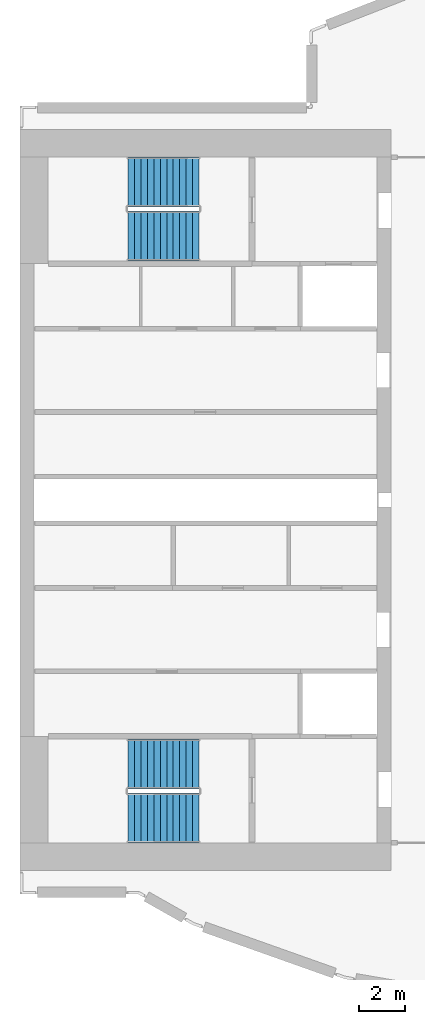
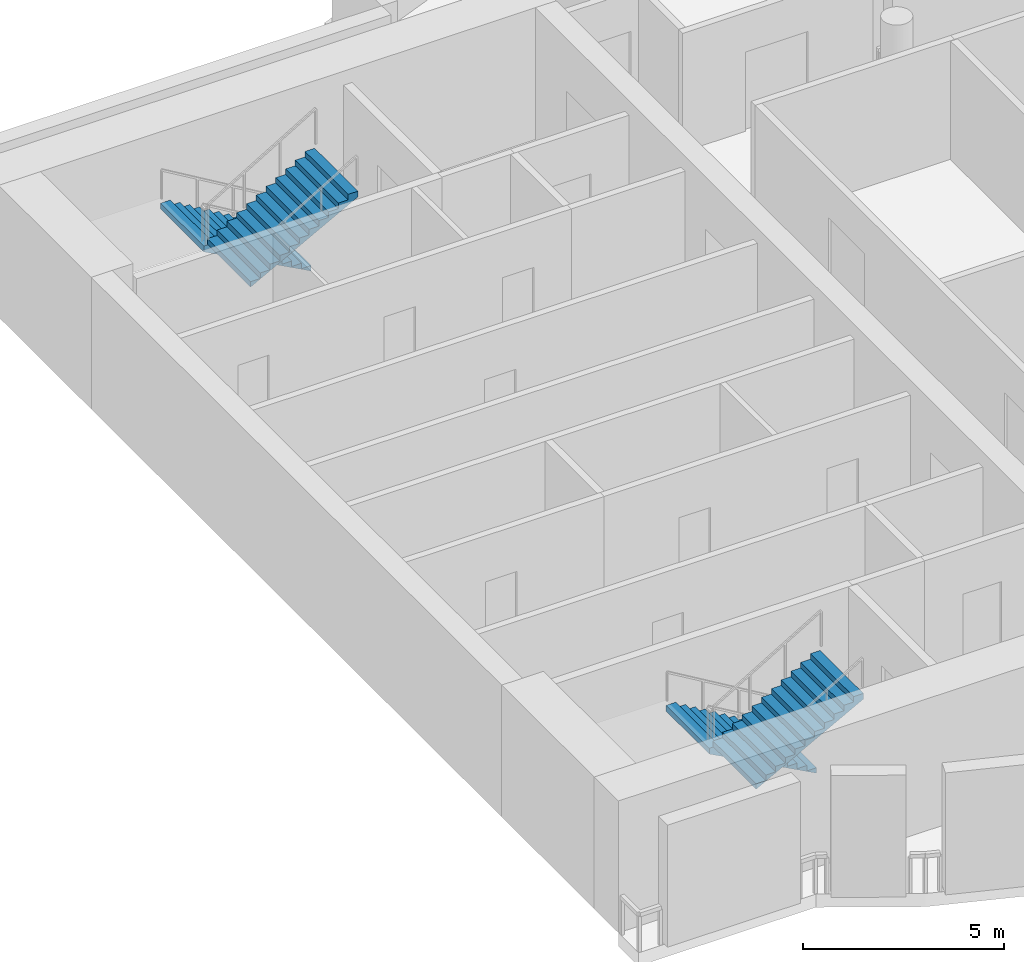
# One storey, part 4 of 8: 4 stair flights, 2 elements without a shape of their own.
"""IFC4 building model written with IfcOpenShell, lengths in metres."""

from ifc_helpers import new_model, si_unit, direction, frame, origin, place, context, subcontext, project, spatial, triangles, material, type_object, element, aggregate, save


model = new_model("IFC4")

# Units and contexts
model_context = context("Model", 3, precision=1e-05, world=origin(), true_north=direction((0.0, 1.0)))
body_context = subcontext(model_context, "Body", "Model", "MODEL_VIEW")
ifc_project = project(units=[si_unit("LENGTHUNIT", "METRE"), si_unit("AREAUNIT", "SQUARE_METRE"), si_unit("VOLUMEUNIT", "CUBIC_METRE"), si_unit("PLANEANGLEUNIT", "RADIAN"), si_unit("MASSUNIT", "GRAM", prefix="KILO")], contexts=[model_context])

# Site, building, storey
site_placement = place(None, origin())
site = spatial("IfcSite", under=ifc_project, at=site_placement, CompositionType="ELEMENT")
building_placement = place(site_placement, origin())
building = spatial("IfcBuilding", under=site, at=building_placement, Name="Cypress Arch Tower", CompositionType="ELEMENT")
storey_placement = place(building_placement, frame((0.0, 0.0, 347.0)))
storey = spatial("IfcBuildingStorey", under=building, at=storey_placement, Name="L79", CompositionType="ELEMENT", Elevation=347.0)

# Stair, stair flights
ifc_material_1 = material(Name="Concrete C40/50", Category="concrete")
stair_type = type_object("IfcStairType", Name="Exit stair ES1667-215", PredefinedType="HALF_TURN_STAIR", material=ifc_material_1)
stair_1_placement = place(storey_placement, origin())
stair_1 = element("IfcStair", 1, at=stair_1_placement, inside=storey, type_object=stair_type, Name="L79 Exit stair A", PredefinedType="HALF_TURN_STAIR")
ifc_material_2 = material(Name="Concrete C40/50", Category="concrete")
stair_flight_type = type_object("IfcStairFlightType", Name="Exit stair flight ES1667-215", PredefinedType="STRAIGHT", material=ifc_material_2)
stair_flight_1_placement = place(storey_placement, frame((-22.27490234375, -11.39990234375, 0.0), z_axis=(0.0, 0.0, 1.0), x_axis=(-1.0, 0.0, 0.0)))
stair_flight_1 = element("IfcStairFlight", 2, at=stair_flight_1_placement, type_object=stair_flight_type, Name="A flight 1", NumberOfRisers=12, NumberOfTreads=11, PredefinedType="STRAIGHT", RiserHeight=0.166666667, TreadLength=0.28, context=body_context, shape_type="Tessellation", body=[
    triangles([(0.0, -1.074951171875, 0.0), (0.000244140625, -1.074951171875, 0.0185546875), (0.000244140625, -1.074951171875, 0.037109375), (0.00048828125, -1.074951171875, 0.0556640625), (0.00048828125, -1.074951171875, 0.07421875), (0.00048828125, -1.074951171875, 0.092529296875), (0.00048828125, -1.074951171875, 0.111083984375), (0.000244140625, -1.074951171875, 0.129638671875), (0.000244140625, -1.074951171875, 0.148193359375), (0.0, -1.074951171875, 0.166748046875), (0.280029296875, -1.074951171875, 0.166748046875), (0.280029296875, -1.074951171875, 0.333251953125), (0.56005859375, -1.074951171875, 0.333251953125), (0.56005859375, -1.074951171875, 0.5), (0.840087890625, -1.074951171875, 0.5), (0.840087890625, -1.074951171875, 0.666748046875), (1.1201171875, -1.074951171875, 0.666748046875), (1.1201171875, -1.074951171875, 0.833251953125), (1.39990234375, -1.074951171875, 0.833251953125), (1.39990234375, -1.074951171875, 1.0), (1.679931640625, -1.074951171875, 1.0), (1.679931640625, -1.074951171875, 1.166748046875), (1.9599609375, -1.074951171875, 1.166748046875), (1.9599609375, -1.074951171875, 1.333251953125), (2.239990234375, -1.074951171875, 1.333251953125), (2.239990234375, -1.074951171875, 1.5), (2.52001953125, -1.074951171875, 1.5), (2.52001953125, -1.074951171875, 1.666748046875), (2.800048828125, -1.074951171875, 1.666748046875), (2.800048828125, -1.074951171875, 1.833251953125), (3.080078125, -1.074951171875, 1.833251953125), (3.079833984375, -1.074951171875, 1.81396484375), (3.079833984375, -1.074951171875, 1.79443359375), (3.07958984375, -1.074951171875, 1.775146484375), (3.07958984375, -1.074951171875, 1.755859375), (3.07958984375, -1.074951171875, 1.736328125), (3.07958984375, -1.074951171875, 1.717041015625), (3.079833984375, -1.074951171875, 1.69775390625), (3.079833984375, -1.074951171875, 1.67822265625), (3.080078125, -1.074951171875, 1.658935546875), (3.080078125, 1.074951171875, 1.658935546875), (3.079833984375, 1.074951171875, 1.67822265625), (3.079833984375, 1.074951171875, 1.69775390625), (3.07958984375, 1.074951171875, 1.717041015625), (3.07958984375, 1.074951171875, 1.736328125), (3.07958984375, 1.074951171875, 1.755859375), (3.07958984375, 1.074951171875, 1.775146484375), (3.079833984375, 1.074951171875, 1.79443359375), (3.079833984375, 1.074951171875, 1.81396484375), (3.080078125, 1.074951171875, 1.833251953125), (2.800048828125, 1.074951171875, 1.833251953125), (2.800048828125, 1.074951171875, 1.666748046875), (2.52001953125, 1.074951171875, 1.666748046875), (2.52001953125, 1.074951171875, 1.5), (2.239990234375, 1.074951171875, 1.5), (2.239990234375, 1.074951171875, 1.333251953125), (1.9599609375, 1.074951171875, 1.333251953125), (1.9599609375, 1.074951171875, 1.166748046875), (1.679931640625, 1.074951171875, 1.166748046875), (1.679931640625, 1.074951171875, 1.0), (1.39990234375, 1.074951171875, 1.0), (1.39990234375, 1.074951171875, 0.833251953125), (1.1201171875, 1.074951171875, 0.833251953125), (1.1201171875, 1.074951171875, 0.666748046875), (0.840087890625, 1.074951171875, 0.666748046875), (0.840087890625, 1.074951171875, 0.5), (0.56005859375, 1.074951171875, 0.5), (0.56005859375, 1.074951171875, 0.333251953125), (0.280029296875, 1.074951171875, 0.333251953125), (0.280029296875, 1.074951171875, 0.166748046875), (0.0, 1.074951171875, 0.166748046875), (0.000244140625, 1.074951171875, 0.148193359375), (0.000244140625, 1.074951171875, 0.129638671875), (0.00048828125, 1.074951171875, 0.111083984375), (0.00048828125, 1.074951171875, 0.092529296875), (0.00048828125, 1.074951171875, 0.07421875), (0.00048828125, 1.074951171875, 0.0556640625), (0.000244140625, 1.074951171875, 0.037109375), (0.000244140625, 1.074951171875, 0.0185546875), (0.0, 1.074951171875, 0.0)], [[40, 39, 30], [39, 38, 30], [38, 37, 30], [37, 36, 30], [36, 35, 30], [35, 34, 30], [34, 33, 30], [33, 32, 30], [32, 31, 30], [29, 28, 27], [27, 26, 25], [23, 22, 21], [21, 20, 19], [17, 16, 15], [15, 14, 13], [10, 9, 11], [9, 8, 11], [8, 7, 11], [7, 6, 11], [6, 5, 11], [5, 4, 11], [4, 3, 11], [3, 2, 11], [2, 1, 11], [19, 18, 17], [25, 24, 23], [13, 12, 11], [40, 30, 29], [40, 29, 27], [40, 27, 25], [40, 25, 23], [40, 23, 21], [40, 21, 19], [40, 19, 17], [40, 17, 15], [40, 15, 13], [1, 40, 13], [13, 11, 1], [41, 51, 42], [42, 51, 43], [43, 51, 44], [44, 51, 45], [45, 51, 46], [46, 51, 47], [47, 51, 48], [48, 51, 49], [49, 51, 50], [52, 54, 53], [54, 56, 55], [58, 60, 59], [60, 62, 61], [64, 66, 65], [66, 68, 67], [71, 70, 72], [72, 70, 73], [73, 70, 74], [74, 70, 75], [75, 70, 76], [76, 70, 77], [77, 70, 78], [78, 70, 79], [79, 70, 80], [62, 64, 63], [56, 58, 57], [68, 70, 69], [41, 52, 51], [41, 54, 52], [41, 56, 54], [41, 58, 56], [41, 60, 58], [41, 62, 60], [41, 64, 62], [41, 66, 64], [41, 68, 66], [80, 68, 41], [68, 80, 70], [41, 42, 39], [41, 39, 40], [42, 43, 38], [42, 38, 39], [43, 44, 37], [43, 37, 38], [44, 45, 36], [44, 36, 37], [45, 46, 35], [45, 35, 36], [46, 47, 34], [46, 34, 35], [47, 48, 33], [47, 33, 34], [48, 49, 32], [48, 32, 33], [49, 50, 31], [49, 31, 32], [50, 51, 30], [50, 30, 31], [51, 52, 29], [51, 29, 30], [52, 53, 28], [52, 28, 29], [53, 54, 27], [53, 27, 28], [54, 55, 26], [54, 26, 27], [55, 56, 25], [55, 25, 26], [56, 57, 24], [56, 24, 25], [57, 58, 23], [57, 23, 24], [58, 59, 22], [58, 22, 23], [59, 60, 21], [59, 21, 22], [60, 61, 20], [60, 20, 21], [61, 62, 19], [61, 19, 20], [62, 63, 18], [62, 18, 19], [63, 64, 17], [63, 17, 18], [64, 65, 16], [64, 16, 17], [65, 66, 15], [65, 15, 16], [66, 67, 14], [66, 14, 15], [67, 68, 13], [67, 13, 14], [68, 69, 12], [68, 12, 13], [69, 70, 11], [69, 11, 12], [70, 71, 10], [70, 10, 11], [71, 72, 9], [71, 9, 10], [72, 73, 8], [72, 8, 9], [73, 74, 7], [73, 7, 8], [74, 75, 6], [74, 6, 7], [75, 76, 5], [75, 5, 6], [76, 77, 4], [76, 4, 5], [77, 78, 3], [77, 3, 4], [78, 79, 2], [78, 2, 3], [79, 80, 1], [79, 1, 2], [80, 41, 40], [80, 40, 1]], closed=True),
])
stair_flight_2_placement = place(storey_placement, frame((-25.35498046875, -13.72509765625, 2.0), z_axis=(0.0, 0.0, 1.0), x_axis=(1.0, 0.0, 0.0)))
stair_flight_2 = element("IfcStairFlight", 3, at=stair_flight_2_placement, type_object=stair_flight_type, Name="A flight 2", NumberOfRisers=12, NumberOfTreads=11, PredefinedType="STRAIGHT", RiserHeight=0.166666667, TreadLength=0.28, context=body_context, shape_type="Tessellation", body=[
    triangles([(0.0, -1.074951171875, 0.0), (0.000244140625, -1.074951171875, 0.0185546875), (0.000244140625, -1.074951171875, 0.037109375), (0.00048828125, -1.074951171875, 0.0556640625), (0.00048828125, -1.074951171875, 0.07421875), (0.00048828125, -1.074951171875, 0.092529296875), (0.00048828125, -1.074951171875, 0.111083984375), (0.000244140625, -1.074951171875, 0.129638671875), (0.000244140625, -1.074951171875, 0.148193359375), (0.0, -1.074951171875, 0.166748046875), (0.280029296875, -1.074951171875, 0.166748046875), (0.280029296875, -1.074951171875, 0.333251953125), (0.56005859375, -1.074951171875, 0.333251953125), (0.56005859375, -1.074951171875, 0.5), (0.840087890625, -1.074951171875, 0.5), (0.840087890625, -1.074951171875, 0.666748046875), (1.1201171875, -1.074951171875, 0.666748046875), (1.1201171875, -1.074951171875, 0.833251953125), (1.39990234375, -1.074951171875, 0.833251953125), (1.39990234375, -1.074951171875, 1.0), (1.679931640625, -1.074951171875, 1.0), (1.679931640625, -1.074951171875, 1.166748046875), (1.9599609375, -1.074951171875, 1.166748046875), (1.9599609375, -1.074951171875, 1.333251953125), (2.239990234375, -1.074951171875, 1.333251953125), (2.239990234375, -1.074951171875, 1.5), (2.52001953125, -1.074951171875, 1.5), (2.52001953125, -1.074951171875, 1.666748046875), (2.800048828125, -1.074951171875, 1.666748046875), (2.800048828125, -1.074951171875, 1.833251953125), (3.080078125, -1.074951171875, 1.833251953125), (3.079833984375, -1.074951171875, 1.81396484375), (3.079833984375, -1.074951171875, 1.79443359375), (3.07958984375, -1.074951171875, 1.775146484375), (3.07958984375, -1.074951171875, 1.755859375), (3.07958984375, -1.074951171875, 1.736328125), (3.07958984375, -1.074951171875, 1.717041015625), (3.079833984375, -1.074951171875, 1.69775390625), (3.079833984375, -1.074951171875, 1.67822265625), (3.080078125, -1.074951171875, 1.658935546875), (3.080078125, 1.074951171875, 1.658935546875), (3.079833984375, 1.074951171875, 1.67822265625), (3.079833984375, 1.074951171875, 1.69775390625), (3.07958984375, 1.074951171875, 1.717041015625), (3.07958984375, 1.074951171875, 1.736328125), (3.07958984375, 1.074951171875, 1.755859375), (3.07958984375, 1.074951171875, 1.775146484375), (3.079833984375, 1.074951171875, 1.79443359375), (3.079833984375, 1.074951171875, 1.81396484375), (3.080078125, 1.074951171875, 1.833251953125), (2.800048828125, 1.074951171875, 1.833251953125), (2.800048828125, 1.074951171875, 1.666748046875), (2.52001953125, 1.074951171875, 1.666748046875), (2.52001953125, 1.074951171875, 1.5), (2.239990234375, 1.074951171875, 1.5), (2.239990234375, 1.074951171875, 1.333251953125), (1.9599609375, 1.074951171875, 1.333251953125), (1.9599609375, 1.074951171875, 1.166748046875), (1.679931640625, 1.074951171875, 1.166748046875), (1.679931640625, 1.074951171875, 1.0), (1.39990234375, 1.074951171875, 1.0), (1.39990234375, 1.074951171875, 0.833251953125), (1.1201171875, 1.074951171875, 0.833251953125), (1.1201171875, 1.074951171875, 0.666748046875), (0.840087890625, 1.074951171875, 0.666748046875), (0.840087890625, 1.074951171875, 0.5), (0.56005859375, 1.074951171875, 0.5), (0.56005859375, 1.074951171875, 0.333251953125), (0.280029296875, 1.074951171875, 0.333251953125), (0.280029296875, 1.074951171875, 0.166748046875), (0.0, 1.074951171875, 0.166748046875), (0.000244140625, 1.074951171875, 0.148193359375), (0.000244140625, 1.074951171875, 0.129638671875), (0.00048828125, 1.074951171875, 0.111083984375), (0.00048828125, 1.074951171875, 0.092529296875), (0.00048828125, 1.074951171875, 0.07421875), (0.00048828125, 1.074951171875, 0.0556640625), (0.000244140625, 1.074951171875, 0.037109375), (0.000244140625, 1.074951171875, 0.0185546875), (0.0, 1.074951171875, 0.0)], [[40, 39, 30], [39, 38, 30], [38, 37, 30], [37, 36, 30], [36, 35, 30], [35, 34, 30], [34, 33, 30], [33, 32, 30], [32, 31, 30], [29, 28, 27], [27, 26, 25], [23, 22, 21], [21, 20, 19], [17, 16, 15], [15, 14, 13], [10, 9, 11], [9, 8, 11], [8, 7, 11], [7, 6, 11], [6, 5, 11], [5, 4, 11], [4, 3, 11], [3, 2, 11], [2, 1, 11], [19, 18, 17], [25, 24, 23], [13, 12, 11], [40, 30, 29], [40, 29, 27], [40, 27, 25], [40, 25, 23], [40, 23, 21], [40, 21, 19], [40, 19, 17], [40, 17, 15], [40, 15, 13], [1, 40, 13], [13, 11, 1], [41, 51, 42], [42, 51, 43], [43, 51, 44], [44, 51, 45], [45, 51, 46], [46, 51, 47], [47, 51, 48], [48, 51, 49], [49, 51, 50], [52, 54, 53], [54, 56, 55], [58, 60, 59], [60, 62, 61], [64, 66, 65], [66, 68, 67], [71, 70, 72], [72, 70, 73], [73, 70, 74], [74, 70, 75], [75, 70, 76], [76, 70, 77], [77, 70, 78], [78, 70, 79], [79, 70, 80], [62, 64, 63], [56, 58, 57], [68, 70, 69], [41, 52, 51], [41, 54, 52], [41, 56, 54], [41, 58, 56], [41, 60, 58], [41, 62, 60], [41, 64, 62], [41, 66, 64], [41, 68, 66], [80, 68, 41], [68, 80, 70], [41, 42, 39], [41, 39, 40], [42, 43, 38], [42, 38, 39], [43, 44, 37], [43, 37, 38], [44, 45, 36], [44, 36, 37], [45, 46, 35], [45, 35, 36], [46, 47, 34], [46, 34, 35], [47, 48, 33], [47, 33, 34], [48, 49, 32], [48, 32, 33], [49, 50, 31], [49, 31, 32], [50, 51, 30], [50, 30, 31], [51, 52, 29], [51, 29, 30], [52, 53, 28], [52, 28, 29], [53, 54, 27], [53, 27, 28], [54, 55, 26], [54, 26, 27], [55, 56, 25], [55, 25, 26], [56, 57, 24], [56, 24, 25], [57, 58, 23], [57, 23, 24], [58, 59, 22], [58, 22, 23], [59, 60, 21], [59, 21, 22], [60, 61, 20], [60, 20, 21], [61, 62, 19], [61, 19, 20], [62, 63, 18], [62, 18, 19], [63, 64, 17], [63, 17, 18], [64, 65, 16], [64, 16, 17], [65, 66, 15], [65, 15, 16], [66, 67, 14], [66, 14, 15], [67, 68, 13], [67, 13, 14], [68, 69, 12], [68, 12, 13], [69, 70, 11], [69, 11, 12], [70, 71, 10], [70, 10, 11], [71, 72, 9], [71, 9, 10], [72, 73, 8], [72, 8, 9], [73, 74, 7], [73, 7, 8], [74, 75, 6], [74, 6, 7], [75, 76, 5], [75, 5, 6], [76, 77, 4], [76, 4, 5], [77, 78, 3], [77, 3, 4], [78, 79, 2], [78, 2, 3], [79, 80, 1], [79, 1, 2], [80, 41, 40], [80, 40, 1]], closed=True),
])
aggregate(stair_1, [stair_flight_1, stair_flight_2])

stair_2_placement = place(storey_placement, origin())
stair_2 = element("IfcStair", 4, at=stair_2_placement, inside=storey, type_object=stair_type, Name="L79 Exit stair B", PredefinedType="HALF_TURN_STAIR")
stair_flight_3_placement = place(storey_placement, frame((-22.27490234375, 13.72509765625, 0.0), z_axis=(0.0, 0.0, 1.0), x_axis=(-1.0, 0.0, 0.0)))
stair_flight_3 = element("IfcStairFlight", 5, at=stair_flight_3_placement, type_object=stair_flight_type, Name="B flight 1", NumberOfRisers=12, NumberOfTreads=11, PredefinedType="STRAIGHT", RiserHeight=0.166666667, TreadLength=0.28, context=body_context, shape_type="Tessellation", body=[
    triangles([(0.0, -1.074951171875, 0.0), (0.000244140625, -1.074951171875, 0.0185546875), (0.000244140625, -1.074951171875, 0.037109375), (0.00048828125, -1.074951171875, 0.0556640625), (0.00048828125, -1.074951171875, 0.07421875), (0.00048828125, -1.074951171875, 0.092529296875), (0.00048828125, -1.074951171875, 0.111083984375), (0.000244140625, -1.074951171875, 0.129638671875), (0.000244140625, -1.074951171875, 0.148193359375), (0.0, -1.074951171875, 0.166748046875), (0.280029296875, -1.074951171875, 0.166748046875), (0.280029296875, -1.074951171875, 0.333251953125), (0.56005859375, -1.074951171875, 0.333251953125), (0.56005859375, -1.074951171875, 0.5), (0.840087890625, -1.074951171875, 0.5), (0.840087890625, -1.074951171875, 0.666748046875), (1.1201171875, -1.074951171875, 0.666748046875), (1.1201171875, -1.074951171875, 0.833251953125), (1.39990234375, -1.074951171875, 0.833251953125), (1.39990234375, -1.074951171875, 1.0), (1.679931640625, -1.074951171875, 1.0), (1.679931640625, -1.074951171875, 1.166748046875), (1.9599609375, -1.074951171875, 1.166748046875), (1.9599609375, -1.074951171875, 1.333251953125), (2.239990234375, -1.074951171875, 1.333251953125), (2.239990234375, -1.074951171875, 1.5), (2.52001953125, -1.074951171875, 1.5), (2.52001953125, -1.074951171875, 1.666748046875), (2.800048828125, -1.074951171875, 1.666748046875), (2.800048828125, -1.074951171875, 1.833251953125), (3.080078125, -1.074951171875, 1.833251953125), (3.079833984375, -1.074951171875, 1.81396484375), (3.079833984375, -1.074951171875, 1.79443359375), (3.07958984375, -1.074951171875, 1.775146484375), (3.07958984375, -1.074951171875, 1.755859375), (3.07958984375, -1.074951171875, 1.736328125), (3.07958984375, -1.074951171875, 1.717041015625), (3.079833984375, -1.074951171875, 1.69775390625), (3.079833984375, -1.074951171875, 1.67822265625), (3.080078125, -1.074951171875, 1.658935546875), (3.080078125, 1.074951171875, 1.658935546875), (3.079833984375, 1.074951171875, 1.67822265625), (3.079833984375, 1.074951171875, 1.69775390625), (3.07958984375, 1.074951171875, 1.717041015625), (3.07958984375, 1.074951171875, 1.736328125), (3.07958984375, 1.074951171875, 1.755859375), (3.07958984375, 1.074951171875, 1.775146484375), (3.079833984375, 1.074951171875, 1.79443359375), (3.079833984375, 1.074951171875, 1.81396484375), (3.080078125, 1.074951171875, 1.833251953125), (2.800048828125, 1.074951171875, 1.833251953125), (2.800048828125, 1.074951171875, 1.666748046875), (2.52001953125, 1.074951171875, 1.666748046875), (2.52001953125, 1.074951171875, 1.5), (2.239990234375, 1.074951171875, 1.5), (2.239990234375, 1.074951171875, 1.333251953125), (1.9599609375, 1.074951171875, 1.333251953125), (1.9599609375, 1.074951171875, 1.166748046875), (1.679931640625, 1.074951171875, 1.166748046875), (1.679931640625, 1.074951171875, 1.0), (1.39990234375, 1.074951171875, 1.0), (1.39990234375, 1.074951171875, 0.833251953125), (1.1201171875, 1.074951171875, 0.833251953125), (1.1201171875, 1.074951171875, 0.666748046875), (0.840087890625, 1.074951171875, 0.666748046875), (0.840087890625, 1.074951171875, 0.5), (0.56005859375, 1.074951171875, 0.5), (0.56005859375, 1.074951171875, 0.333251953125), (0.280029296875, 1.074951171875, 0.333251953125), (0.280029296875, 1.074951171875, 0.166748046875), (0.0, 1.074951171875, 0.166748046875), (0.000244140625, 1.074951171875, 0.148193359375), (0.000244140625, 1.074951171875, 0.129638671875), (0.00048828125, 1.074951171875, 0.111083984375), (0.00048828125, 1.074951171875, 0.092529296875), (0.00048828125, 1.074951171875, 0.07421875), (0.00048828125, 1.074951171875, 0.0556640625), (0.000244140625, 1.074951171875, 0.037109375), (0.000244140625, 1.074951171875, 0.0185546875), (0.0, 1.074951171875, 0.0)], [[40, 39, 30], [39, 38, 30], [38, 37, 30], [37, 36, 30], [36, 35, 30], [35, 34, 30], [34, 33, 30], [33, 32, 30], [32, 31, 30], [29, 28, 27], [27, 26, 25], [23, 22, 21], [21, 20, 19], [17, 16, 15], [15, 14, 13], [10, 9, 11], [9, 8, 11], [8, 7, 11], [7, 6, 11], [6, 5, 11], [5, 4, 11], [4, 3, 11], [3, 2, 11], [2, 1, 11], [19, 18, 17], [25, 24, 23], [13, 12, 11], [40, 30, 29], [40, 29, 27], [40, 27, 25], [40, 25, 23], [40, 23, 21], [40, 21, 19], [40, 19, 17], [40, 17, 15], [40, 15, 13], [1, 40, 13], [13, 11, 1], [41, 51, 42], [42, 51, 43], [43, 51, 44], [44, 51, 45], [45, 51, 46], [46, 51, 47], [47, 51, 48], [48, 51, 49], [49, 51, 50], [52, 54, 53], [54, 56, 55], [58, 60, 59], [60, 62, 61], [64, 66, 65], [66, 68, 67], [71, 70, 72], [72, 70, 73], [73, 70, 74], [74, 70, 75], [75, 70, 76], [76, 70, 77], [77, 70, 78], [78, 70, 79], [79, 70, 80], [62, 64, 63], [56, 58, 57], [68, 70, 69], [41, 52, 51], [41, 54, 52], [41, 56, 54], [41, 58, 56], [41, 60, 58], [41, 62, 60], [41, 64, 62], [41, 66, 64], [41, 68, 66], [80, 68, 41], [68, 80, 70], [41, 42, 39], [41, 39, 40], [42, 43, 38], [42, 38, 39], [43, 44, 37], [43, 37, 38], [44, 45, 36], [44, 36, 37], [45, 46, 35], [45, 35, 36], [46, 47, 34], [46, 34, 35], [47, 48, 33], [47, 33, 34], [48, 49, 32], [48, 32, 33], [49, 50, 31], [49, 31, 32], [50, 51, 30], [50, 30, 31], [51, 52, 29], [51, 29, 30], [52, 53, 28], [52, 28, 29], [53, 54, 27], [53, 27, 28], [54, 55, 26], [54, 26, 27], [55, 56, 25], [55, 25, 26], [56, 57, 24], [56, 24, 25], [57, 58, 23], [57, 23, 24], [58, 59, 22], [58, 22, 23], [59, 60, 21], [59, 21, 22], [60, 61, 20], [60, 20, 21], [61, 62, 19], [61, 19, 20], [62, 63, 18], [62, 18, 19], [63, 64, 17], [63, 17, 18], [64, 65, 16], [64, 16, 17], [65, 66, 15], [65, 15, 16], [66, 67, 14], [66, 14, 15], [67, 68, 13], [67, 13, 14], [68, 69, 12], [68, 12, 13], [69, 70, 11], [69, 11, 12], [70, 71, 10], [70, 10, 11], [71, 72, 9], [71, 9, 10], [72, 73, 8], [72, 8, 9], [73, 74, 7], [73, 7, 8], [74, 75, 6], [74, 6, 7], [75, 76, 5], [75, 5, 6], [76, 77, 4], [76, 4, 5], [77, 78, 3], [77, 3, 4], [78, 79, 2], [78, 2, 3], [79, 80, 1], [79, 1, 2], [80, 41, 40], [80, 40, 1]], closed=True),
])
stair_flight_4_placement = place(storey_placement, frame((-25.35498046875, 11.39990234375, 2.0), z_axis=(0.0, 0.0, 1.0), x_axis=(1.0, 0.0, 0.0)))
stair_flight_4 = element("IfcStairFlight", 6, at=stair_flight_4_placement, type_object=stair_flight_type, Name="B flight 2", NumberOfRisers=12, NumberOfTreads=11, PredefinedType="STRAIGHT", RiserHeight=0.166666667, TreadLength=0.28, context=body_context, shape_type="Tessellation", body=[
    triangles([(0.0, -1.074951171875, 0.0), (0.000244140625, -1.074951171875, 0.0185546875), (0.000244140625, -1.074951171875, 0.037109375), (0.00048828125, -1.074951171875, 0.0556640625), (0.00048828125, -1.074951171875, 0.07421875), (0.00048828125, -1.074951171875, 0.092529296875), (0.00048828125, -1.074951171875, 0.111083984375), (0.000244140625, -1.074951171875, 0.129638671875), (0.000244140625, -1.074951171875, 0.148193359375), (0.0, -1.074951171875, 0.166748046875), (0.280029296875, -1.074951171875, 0.166748046875), (0.280029296875, -1.074951171875, 0.333251953125), (0.56005859375, -1.074951171875, 0.333251953125), (0.56005859375, -1.074951171875, 0.5), (0.840087890625, -1.074951171875, 0.5), (0.840087890625, -1.074951171875, 0.666748046875), (1.1201171875, -1.074951171875, 0.666748046875), (1.1201171875, -1.074951171875, 0.833251953125), (1.39990234375, -1.074951171875, 0.833251953125), (1.39990234375, -1.074951171875, 1.0), (1.679931640625, -1.074951171875, 1.0), (1.679931640625, -1.074951171875, 1.166748046875), (1.9599609375, -1.074951171875, 1.166748046875), (1.9599609375, -1.074951171875, 1.333251953125), (2.239990234375, -1.074951171875, 1.333251953125), (2.239990234375, -1.074951171875, 1.5), (2.52001953125, -1.074951171875, 1.5), (2.52001953125, -1.074951171875, 1.666748046875), (2.800048828125, -1.074951171875, 1.666748046875), (2.800048828125, -1.074951171875, 1.833251953125), (3.080078125, -1.074951171875, 1.833251953125), (3.079833984375, -1.074951171875, 1.81396484375), (3.079833984375, -1.074951171875, 1.79443359375), (3.07958984375, -1.074951171875, 1.775146484375), (3.07958984375, -1.074951171875, 1.755859375), (3.07958984375, -1.074951171875, 1.736328125), (3.07958984375, -1.074951171875, 1.717041015625), (3.079833984375, -1.074951171875, 1.69775390625), (3.079833984375, -1.074951171875, 1.67822265625), (3.080078125, -1.074951171875, 1.658935546875), (3.080078125, 1.074951171875, 1.658935546875), (3.079833984375, 1.074951171875, 1.67822265625), (3.079833984375, 1.074951171875, 1.69775390625), (3.07958984375, 1.074951171875, 1.717041015625), (3.07958984375, 1.074951171875, 1.736328125), (3.07958984375, 1.074951171875, 1.755859375), (3.07958984375, 1.074951171875, 1.775146484375), (3.079833984375, 1.074951171875, 1.79443359375), (3.079833984375, 1.074951171875, 1.81396484375), (3.080078125, 1.074951171875, 1.833251953125), (2.800048828125, 1.074951171875, 1.833251953125), (2.800048828125, 1.074951171875, 1.666748046875), (2.52001953125, 1.074951171875, 1.666748046875), (2.52001953125, 1.074951171875, 1.5), (2.239990234375, 1.074951171875, 1.5), (2.239990234375, 1.074951171875, 1.333251953125), (1.9599609375, 1.074951171875, 1.333251953125), (1.9599609375, 1.074951171875, 1.166748046875), (1.679931640625, 1.074951171875, 1.166748046875), (1.679931640625, 1.074951171875, 1.0), (1.39990234375, 1.074951171875, 1.0), (1.39990234375, 1.074951171875, 0.833251953125), (1.1201171875, 1.074951171875, 0.833251953125), (1.1201171875, 1.074951171875, 0.666748046875), (0.840087890625, 1.074951171875, 0.666748046875), (0.840087890625, 1.074951171875, 0.5), (0.56005859375, 1.074951171875, 0.5), (0.56005859375, 1.074951171875, 0.333251953125), (0.280029296875, 1.074951171875, 0.333251953125), (0.280029296875, 1.074951171875, 0.166748046875), (0.0, 1.074951171875, 0.166748046875), (0.000244140625, 1.074951171875, 0.148193359375), (0.000244140625, 1.074951171875, 0.129638671875), (0.00048828125, 1.074951171875, 0.111083984375), (0.00048828125, 1.074951171875, 0.092529296875), (0.00048828125, 1.074951171875, 0.07421875), (0.00048828125, 1.074951171875, 0.0556640625), (0.000244140625, 1.074951171875, 0.037109375), (0.000244140625, 1.074951171875, 0.0185546875), (0.0, 1.074951171875, 0.0)], [[40, 39, 30], [39, 38, 30], [38, 37, 30], [37, 36, 30], [36, 35, 30], [35, 34, 30], [34, 33, 30], [33, 32, 30], [32, 31, 30], [29, 28, 27], [27, 26, 25], [23, 22, 21], [21, 20, 19], [17, 16, 15], [15, 14, 13], [10, 9, 11], [9, 8, 11], [8, 7, 11], [7, 6, 11], [6, 5, 11], [5, 4, 11], [4, 3, 11], [3, 2, 11], [2, 1, 11], [19, 18, 17], [25, 24, 23], [13, 12, 11], [40, 30, 29], [40, 29, 27], [40, 27, 25], [40, 25, 23], [40, 23, 21], [40, 21, 19], [40, 19, 17], [40, 17, 15], [40, 15, 13], [1, 40, 13], [13, 11, 1], [41, 51, 42], [42, 51, 43], [43, 51, 44], [44, 51, 45], [45, 51, 46], [46, 51, 47], [47, 51, 48], [48, 51, 49], [49, 51, 50], [52, 54, 53], [54, 56, 55], [58, 60, 59], [60, 62, 61], [64, 66, 65], [66, 68, 67], [71, 70, 72], [72, 70, 73], [73, 70, 74], [74, 70, 75], [75, 70, 76], [76, 70, 77], [77, 70, 78], [78, 70, 79], [79, 70, 80], [62, 64, 63], [56, 58, 57], [68, 70, 69], [41, 52, 51], [41, 54, 52], [41, 56, 54], [41, 58, 56], [41, 60, 58], [41, 62, 60], [41, 64, 62], [41, 66, 64], [41, 68, 66], [80, 68, 41], [68, 80, 70], [41, 42, 39], [41, 39, 40], [42, 43, 38], [42, 38, 39], [43, 44, 37], [43, 37, 38], [44, 45, 36], [44, 36, 37], [45, 46, 35], [45, 35, 36], [46, 47, 34], [46, 34, 35], [47, 48, 33], [47, 33, 34], [48, 49, 32], [48, 32, 33], [49, 50, 31], [49, 31, 32], [50, 51, 30], [50, 30, 31], [51, 52, 29], [51, 29, 30], [52, 53, 28], [52, 28, 29], [53, 54, 27], [53, 27, 28], [54, 55, 26], [54, 26, 27], [55, 56, 25], [55, 25, 26], [56, 57, 24], [56, 24, 25], [57, 58, 23], [57, 23, 24], [58, 59, 22], [58, 22, 23], [59, 60, 21], [59, 21, 22], [60, 61, 20], [60, 20, 21], [61, 62, 19], [61, 19, 20], [62, 63, 18], [62, 18, 19], [63, 64, 17], [63, 17, 18], [64, 65, 16], [64, 16, 17], [65, 66, 15], [65, 15, 16], [66, 67, 14], [66, 14, 15], [67, 68, 13], [67, 13, 14], [68, 69, 12], [68, 12, 13], [69, 70, 11], [69, 11, 12], [70, 71, 10], [70, 10, 11], [71, 72, 9], [71, 9, 10], [72, 73, 8], [72, 8, 9], [73, 74, 7], [73, 7, 8], [74, 75, 6], [74, 6, 7], [75, 76, 5], [75, 5, 6], [76, 77, 4], [76, 4, 5], [77, 78, 3], [77, 3, 4], [78, 79, 2], [78, 2, 3], [79, 80, 1], [79, 1, 2], [80, 41, 40], [80, 40, 1]], closed=True),
])
aggregate(stair_2, [stair_flight_3, stair_flight_4])

save(model, "model.ifc")
